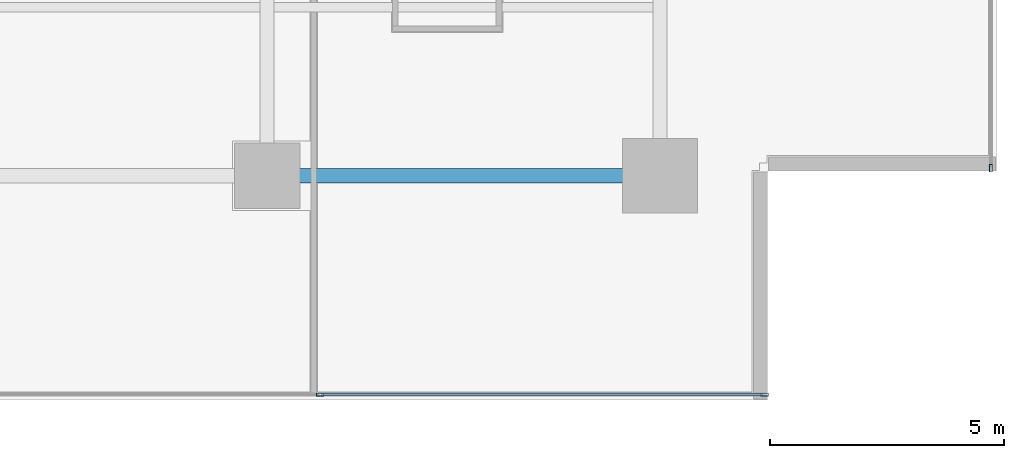
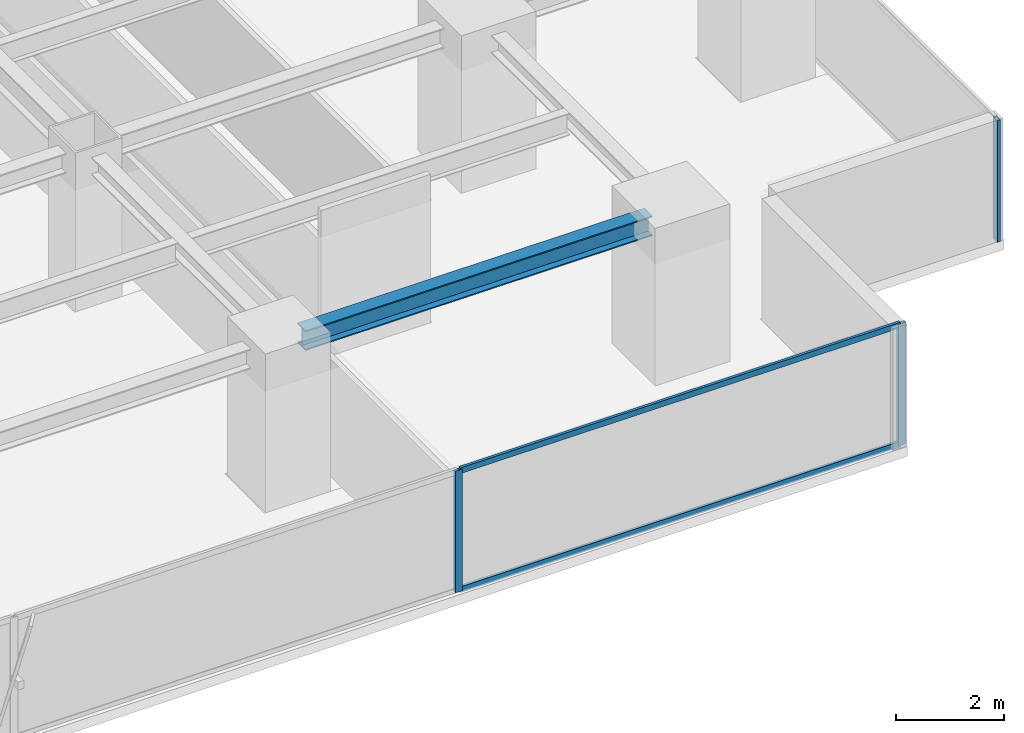
# One storey, part 9 of 27: 5 members, 1 beam, 2 elements without a shape of their own.
"""IFC4 building model written with IfcOpenShell, lengths in metres."""

from ifc_helpers import new_model, si_unit, direction, frame, origin, origin_2d, place, context, subcontext, project, spatial, hollow_rectangle, i_section, extrude, source, transform, mapped, material, layer, layer_set, material_profile, profile_set, type_object, element, aggregate, save


model = new_model("IFC4")

# Units and contexts
model_context = context("Model", 3, precision=1e-05, world=origin(), true_north=direction((0.0, 1.0)))
body_context = subcontext(model_context, "Body", "Model", "MODEL_VIEW")
ifc_project = project(units=[si_unit("LENGTHUNIT", "METRE"), si_unit("AREAUNIT", "SQUARE_METRE"), si_unit("VOLUMEUNIT", "CUBIC_METRE"), si_unit("PLANEANGLEUNIT", "RADIAN"), si_unit("MASSUNIT", "GRAM", prefix="KILO")], contexts=[model_context])

# Site, building, storey
site_placement = place(None, origin())
site = spatial("IfcSite", under=ifc_project, at=site_placement, CompositionType="ELEMENT")
building_placement = place(site_placement, origin())
building = spatial("IfcBuilding", under=site, at=building_placement, Name="Sumidabori Civic Tower", CompositionType="ELEMENT")
storey_placement = place(building_placement, frame((0.0, 0.0, 135.199951171875)))
storey = spatial("IfcBuildingStorey", under=building, at=storey_placement, Name="L34", CompositionType="ELEMENT", Elevation=135.199951171875)

# Beam
ifc_material_1 = material(Name="Steel SN490", Category="steel")
ifc_material_profile_1 = material_profile(ifc_material_1, i_section(OverallWidth=0.300048828125, OverallDepth=0.449951171875, WebThickness=0.013916015625, FlangeThickness=0.02587890625, at=origin_2d()), Name="HE 450 B")
ifc_profile_set_1 = profile_set([ifc_material_profile_1], Name="Steel SN490")
beam_type = type_object("IfcBeamType", Name="BM-GIRD-450", PredefinedType="BEAM", material=ifc_profile_set_1)
shared_shape_1 = source(origin(), body_context, "Body", "SweptSolid", [
    extrude(i_section(OverallWidth=0.300048828125, OverallDepth=0.449951171875, WebThickness=0.013916015625, FlangeThickness=0.02587890625, at=origin_2d()), origin(), (0.0, 0.0, 1.0), 7.440185546875),
])
beam_placement = place(storey_placement, frame((8.8798828125, -18.0, 3.155029296875), z_axis=(1.0, 0.0, 0.0), x_axis=(0.0, 1.0, 0.0)))
element("IfcBeam", 1, at=beam_placement, inside=storey, type_object=beam_type, Name="Primary Girder L34 GX-04", PredefinedType="BEAM", context=body_context, shape_type="MappedRepresentation", body=[
    mapped(shared_shape_1, transform((0.0, 0.0, 0.0), x_axis=(1.0, 0.0, 0.0), y_axis=(0.0, 1.0, 0.0), z_axis=(0.0, 0.0, 1.0), scale=1.0)),
])

# Curtain wall, members
ifc_material_2 = material(Name="Anodised Bronze Aluminium AW-6063-T6", Category="aluminium")
ifc_layer = layer(ifc_material_2, 0.179931640625, Name="Anodised Bronze Aluminium AW-6063-T6")
ifc_layer_set = layer_set([ifc_layer], Name="Anodised Bronze Aluminium AW-6063-T6")
curtain_wall_type = type_object("IfcCurtainWallType", Name="CW-SYS-3", PredefinedType="NOTDEFINED", material=ifc_layer_set)
curtain_wall_1_placement = place(storey_placement, origin())
curtain_wall_1 = element("IfcCurtainWall", 2, at=curtain_wall_1_placement, inside=storey, type_object=curtain_wall_type, Name="Curtain Wall CW:L34:R01", PredefinedType="NOTDEFINED")
ifc_material_profile_2 = material_profile(ifc_material_2, hollow_rectangle(XDim=0.06494140625, YDim=0.159912109375, WallThickness=0.0048828125, at=origin_2d()), Name="ALU MULLION 160x65")
ifc_profile_set_2 = profile_set([ifc_material_profile_2], Name="Anodised Bronze Aluminium AW-6063-T6")
member_type_1 = type_object("IfcMemberType", Name="CW-MUL-160", PredefinedType="MULLION", material=ifc_profile_set_2)
shared_shape_2 = source(origin(), body_context, "Body", "SweptSolid", [
    extrude(hollow_rectangle(XDim=0.06494140625, YDim=0.159912109375, WallThickness=0.0048828125, at=origin_2d()), origin(), (0.0, 0.0, 1.0), 2.760009765625),
])
member_1_placement = place(storey_placement, frame((9.534912109375, -22.679931640625, 0.0), z_axis=(0.0, 0.0, 1.0), x_axis=(0.0, 1.0, 0.0)))
member_1 = element("IfcMember", 3, at=member_1_placement, type_object=member_type_1, Name="CW-3 mullion 4", PredefinedType="MULLION", context=body_context, shape_type="MappedRepresentation", body=[
    mapped(shared_shape_2, transform((0.0, 0.0, 0.0), x_axis=(1.0, 0.0, 0.0), y_axis=(0.0, 1.0, 0.0), z_axis=(0.0, 0.0, 1.0), scale=1.0)),
])
member_2_placement = place(storey_placement, frame((19.03759765625, -22.679931640625, 0.0), z_axis=(0.0, 0.0, 1.0), x_axis=(0.0, 1.0, 0.0)))
member_2 = element("IfcMember", 4, at=member_2_placement, type_object=member_type_1, Name="CW-3 mullion 5", PredefinedType="MULLION", context=body_context, shape_type="MappedRepresentation", body=[
    mapped(shared_shape_2, transform((0.0, 0.0, 0.0), x_axis=(1.0, 0.0, 0.0), y_axis=(0.0, 1.0, 0.0), z_axis=(0.0, 0.0, 1.0), scale=1.0)),
])

# Curtain wall, member
curtain_wall_2_placement = place(storey_placement, origin())
curtain_wall_2 = element("IfcCurtainWall", 5, at=curtain_wall_2_placement, inside=storey, type_object=curtain_wall_type, Name="Curtain Wall CW:L34:R04", PredefinedType="NOTDEFINED")
member_3_placement = place(storey_placement, frame((23.8798828125, -17.83740234375, 0.0), z_axis=(0.0, 0.0, 1.0), x_axis=(-1.0, 0.0, 0.0)))
member_3 = element("IfcMember", 6, at=member_3_placement, type_object=member_type_1, Name="CW-3 mullion 1", PredefinedType="MULLION", context=body_context, shape_type="MappedRepresentation", body=[
    mapped(shared_shape_2, transform((0.0, 0.0, 0.0), x_axis=(1.0, 0.0, 0.0), y_axis=(0.0, 1.0, 0.0), z_axis=(0.0, 0.0, 1.0), scale=1.0)),
])
aggregate(curtain_wall_2, [member_3])

# Member
ifc_material_profile_3 = material_profile(ifc_material_2, hollow_rectangle(XDim=0.06005859375, YDim=0.1298828125, WallThickness=0.0048828125, at=origin_2d()), Name="ALU TRANSOM 130x60")
ifc_profile_set_3 = profile_set([ifc_material_profile_3], Name="Anodised Bronze Aluminium AW-6063-T6")
member_type_2 = type_object("IfcMemberType", Name="CW-TRN-130", PredefinedType="USERDEFINED", material=ifc_profile_set_3)
shared_shape_3 = source(origin(), body_context, "Body", "SweptSolid", [
    extrude(hollow_rectangle(XDim=0.06005859375, YDim=0.1298828125, WallThickness=0.0048828125, at=origin_2d()), origin(), (0.0, 0.0, 1.0), 9.4375),
])
member_4_placement = place(storey_placement, frame((9.5673828125, -22.679931640625, 0.030029296875), z_axis=(1.0, 0.0, 0.0), x_axis=(0.0, 1.0, 0.0)))
member_4 = element("IfcMember", 7, at=member_4_placement, type_object=member_type_2, Name="CW-3 transom 4.1", ObjectType="TRANSOM", PredefinedType="USERDEFINED", context=body_context, shape_type="MappedRepresentation", body=[
    mapped(shared_shape_3, transform((0.0, 0.0, 0.0), x_axis=(1.0, 0.0, 0.0), y_axis=(0.0, 1.0, 0.0), z_axis=(0.0, 0.0, 1.0), scale=1.0)),
])

member_5_placement = place(storey_placement, frame((9.5673828125, -22.679931640625, 2.72998046875), z_axis=(1.0, 0.0, 0.0), x_axis=(0.0, 1.0, 0.0)))
member_5 = element("IfcMember", 8, at=member_5_placement, type_object=member_type_2, Name="CW-3 transom 4.2", ObjectType="TRANSOM", PredefinedType="USERDEFINED", context=body_context, shape_type="MappedRepresentation", body=[
    mapped(shared_shape_3, transform((0.0, 0.0, 0.0), x_axis=(1.0, 0.0, 0.0), y_axis=(0.0, 1.0, 0.0), z_axis=(0.0, 0.0, 1.0), scale=1.0)),
])

aggregate(curtain_wall_1, [member_1, member_2, member_4, member_5])

save(model, "model.ifc")
